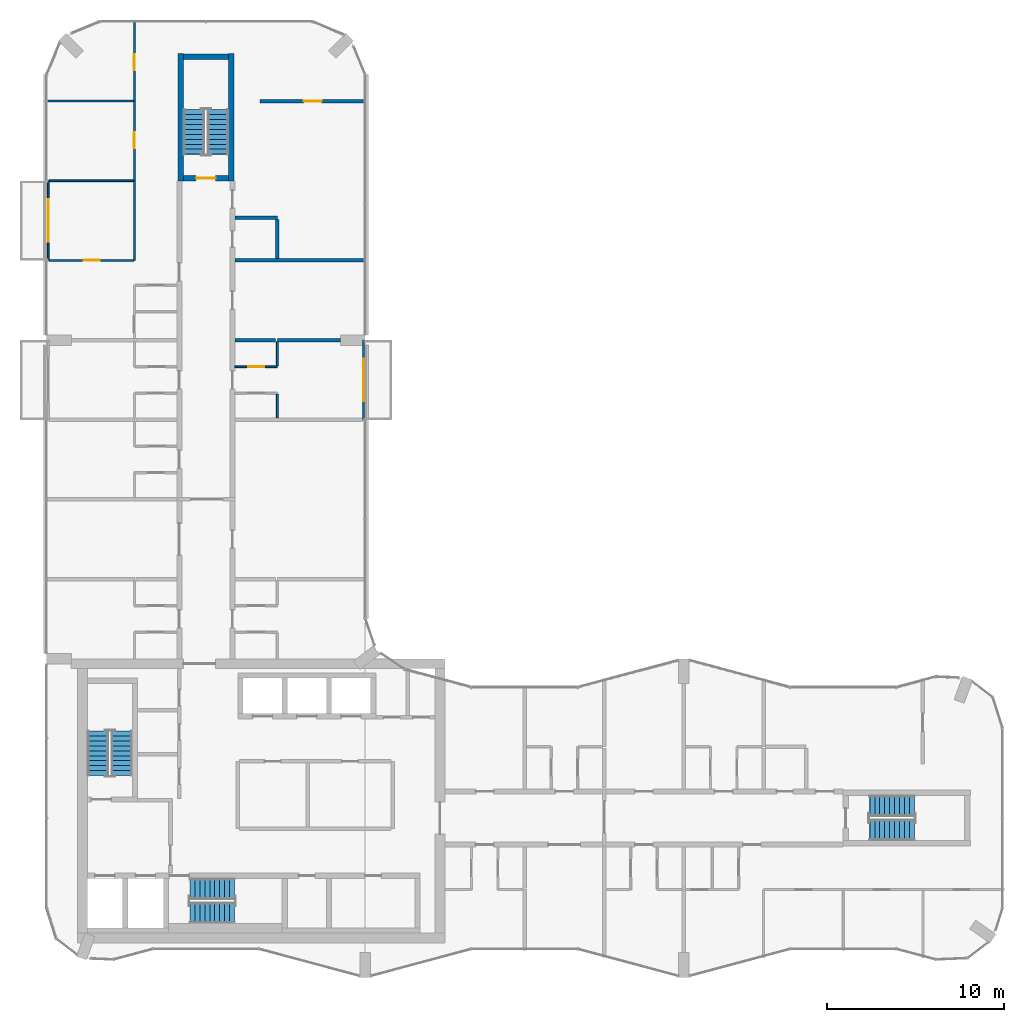
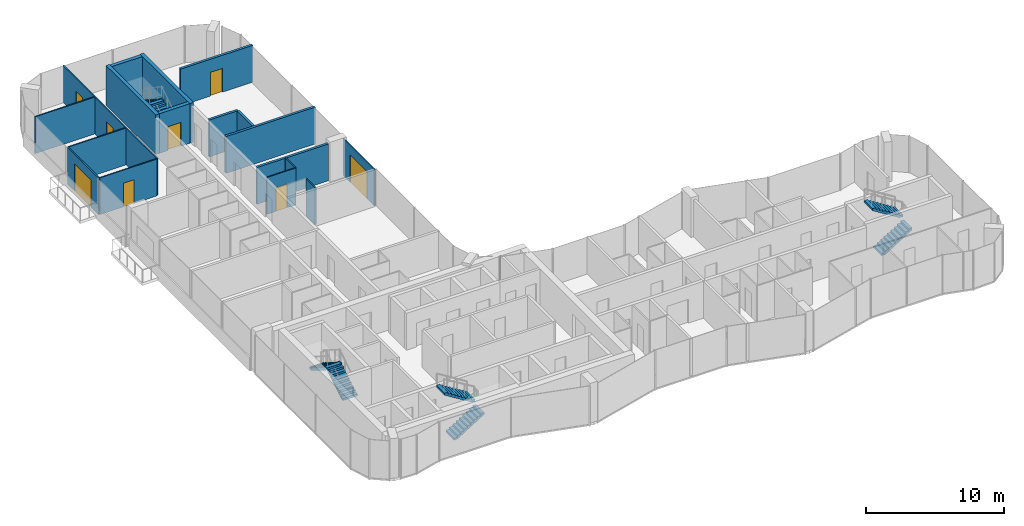
# One storey, part 13 of 15: 19 walls, 8 doors, 8 stair flights, 8 openings, 4 elements without a shape of their own.
"""IFC4 building model written with IfcOpenShell, lengths in metres."""

import ifcopenshell
import ifcopenshell.guid

model = None  # the IFC model being written
_history = None  # IfcOwnerHistory: only IFC2X3 demands one
_inside = {}  # id of a spatial element -> (the spatial element, [elements in it])
_under = {}  # id of a project, library or spatial element -> (it, [spatial elements below it])
_declared = {}  # id of a project -> (the project, [libraries it declares])
_typed = {}  # id of a type object -> (the type object, [elements of that type])
_made_of = {}  # id of a material, layer set ... -> (it, [elements and type objects made of it])


def new_model(schema):
    """Start an empty IFC model of exactly this schema.

    Asked for "IFC4X3", IfcOpenShell would pick the latest addendum, in which some entities
    have other attributes; the version numbers below select the first issue.
    IFC2X3 requires an IfcOwnerHistory on every rooted entity: one is made here for all.
    """
    global model, _history
    if schema == "IFC4X3":
        model = ifcopenshell.file(schema_version=(4, 3, 0, 0))
    else:
        model = ifcopenshell.file(schema=schema)
    _inside.clear()
    _under.clear()
    _declared.clear()
    _typed.clear()
    _made_of.clear()
    _history = None
    if model.schema == "IFC2X3":
        org = make("IfcOrganization", Name="unknown")
        user = make(
            "IfcPersonAndOrganization",
            ThePerson=make("IfcPerson", FamilyName="unknown"),
            TheOrganization=org,
        )
        app = make(
            "IfcApplication",
            ApplicationDeveloper=org,
            Version="unknown",
            ApplicationFullName="unknown",
            ApplicationIdentifier="unknown",
        )
        _history = make(
            "IfcOwnerHistory",
            OwningUser=user,
            OwningApplication=app,
            ChangeAction="ADDED",
            CreationDate=0,
        )
    return model


def make(cls, **values):
    """One entity of the class cls with the attributes given. An attribute that is None is left unset."""
    return model.create_entity(
        cls, **{name: value for name, value in values.items() if value is not None}
    )


def rooted(cls, **values):
    """An entity with a GlobalId (a new one), such as an element, a storey or a relation."""
    return make(cls, GlobalId=ifcopenshell.guid.new(), OwnerHistory=_history, **values)


def si_unit(unit_type, name, prefix=None):
    """IfcSIUnit, for example si_unit("LENGTHUNIT", "METRE", prefix="MILLI")."""
    return make("IfcSIUnit", UnitType=unit_type, Prefix=prefix, Name=name)


def assignment(units):
    """IfcUnitAssignment: the units of a project."""
    return None if units is None else make("IfcUnitAssignment", Units=units)


def point(xyz):
    """IfcCartesianPoint."""
    return None if xyz is None else make("IfcCartesianPoint", Coordinates=xyz)


def direction(xyz):
    """IfcDirection."""
    return None if xyz is None else make("IfcDirection", DirectionRatios=xyz)


def frame(location, z_axis=None, x_axis=None):
    """IfcAxis2Placement3D, a coordinate frame: its origin and axes. An axis left out is left unset."""
    return make(
        "IfcAxis2Placement3D",
        Location=point(location),
        Axis=direction(z_axis),
        RefDirection=direction(x_axis),
    )


def frame_2d(location, x_axis=None):
    """IfcAxis2Placement2D, a coordinate frame in the plane: its origin and x axis."""
    return make(
        "IfcAxis2Placement2D", Location=point(location), RefDirection=direction(x_axis)
    )


def origin():
    """The frame at (0, 0, 0) with its axes left unset."""
    return frame((0.0, 0.0, 0.0))


def place(relative_to, where):
    """IfcLocalPlacement: puts the frame where relative to a parent placement (None: the world)."""
    return make(
        "IfcLocalPlacement", PlacementRelTo=relative_to, RelativePlacement=where
    )


def context(
    kind, dimensions, precision=None, world=None, true_north=None, identifier=None
):
    """IfcGeometricRepresentationContext, for example the 3D "Model" context."""
    return make(
        "IfcGeometricRepresentationContext",
        ContextIdentifier=identifier,
        ContextType=kind,
        CoordinateSpaceDimension=dimensions,
        Precision=precision,
        WorldCoordinateSystem=world,
        TrueNorth=true_north,
    )


def subcontext(parent, identifier, kind, view, scale=None):
    """IfcGeometricRepresentationSubContext, for example "Body" below "Model"."""
    return make(
        "IfcGeometricRepresentationSubContext",
        ContextIdentifier=identifier,
        ContextType=kind,
        ParentContext=parent,
        TargetScale=scale,
        TargetView=view,
    )


def project(units=None, contexts=None):
    """IfcProject with its units and contexts."""
    return rooted(
        "IfcProject",
        Name="project",
        RepresentationContexts=contexts,
        UnitsInContext=assignment(units),
    )


def spatial(cls, under=None, at=None, **own):
    """A site, building, storey or space (cls), placed at a placement, below another one or the project."""
    s = rooted(cls, ObjectPlacement=at, **own)
    if under is not None:
        _under.setdefault(under.id(), (under, []))[1].append(s)
    return s


def polyline(points):
    """IfcPolyline through the points."""
    return make("IfcPolyline", Points=[point(p) for p in points])


def profile(cls, at=None, kind="AREA", **sizes):
    """A parametric profile (cls). Its sizes go by their IFC names, for example OverallWidth=200.0."""
    return make(cls, ProfileType=kind, Position=at, **sizes)


def rectangle(**sizes):
    """IfcRectangleProfileDef."""
    return profile("IfcRectangleProfileDef", **sizes)


def outline(outer, holes=None, kind="AREA"):
    """IfcArbitraryClosedProfileDef: a profile drawn as a closed curve; with holes, ...WithVoids."""
    if holes is None:
        return make("IfcArbitraryClosedProfileDef", ProfileType=kind, OuterCurve=outer)
    return make(
        "IfcArbitraryProfileDefWithVoids",
        ProfileType=kind,
        OuterCurve=outer,
        InnerCurves=holes,
    )


def extrude(swept, where, along, depth):
    """IfcExtrudedAreaSolid: the profile swept, set in the frame where, extruded along a direction by depth."""
    return make(
        "IfcExtrudedAreaSolid",
        SweptArea=swept,
        Position=where,
        ExtrudedDirection=direction(along),
        Depth=depth,
    )


def shape(context_of_items, identifier, shape_type, items):
    """IfcShapeRepresentation: the items that make up one representation, for example the "Body"."""
    return make(
        "IfcShapeRepresentation",
        ContextOfItems=context_of_items,
        RepresentationIdentifier=identifier,
        RepresentationType=shape_type,
        Items=items,
    )


def material(Name=None, Category=None):
    """IfcMaterial."""
    return make("IfcMaterial", Name=Name, Category=Category)


def layer(
    of_material, thickness, ventilated=None, Name=None, Category=None, Priority=None
):
    """IfcMaterialLayer: one layer of a wall or slab, of a material (None: an air gap)."""
    return make(
        "IfcMaterialLayer",
        Material=of_material,
        LayerThickness=thickness,
        IsVentilated=ventilated,
        Name=Name,
        Category=Category,
        Priority=Priority,
    )


def layer_set(layers, Name=None):
    """IfcMaterialLayerSet."""
    return make("IfcMaterialLayerSet", MaterialLayers=layers, LayerSetName=Name)


def made_of(thing, what):
    """Note that an element or type object is made of a material, layer set ...; save() writes the relation."""
    if what is not None:
        _made_of.setdefault(what.id(), (what, []))[1].append(thing)
    return thing


def type_object(cls, material=None, **own):
    """A type object (cls), such as IfcWallType, which elements share."""
    return made_of(rooted(cls, **own), material)


def element(
    cls,
    number,
    at=None,
    inside=None,
    cuts=None,
    type_object=None,
    material=None,
    context=None,
    identifier="Body",
    shape_type=None,
    held_by="IfcProductDefinitionShape",
    body=None,
    shapes=None,
    **own,
):
    """One element of the class cls, such as IfcWall. Its Tag is "e" and its number.

    at: its placement. inside: the storey or other place that contains it. cuts: it is an
    opening in that element (IfcRelVoidsElement). A single representation is given by context,
    identifier, shape_type and body (its items); several are given by shapes. held_by: the class
    of the entity that holds the representations. save() writes the other relations.
    """
    e = rooted(cls, Tag="e%d" % number, ObjectPlacement=at, **own)
    if body is not None:
        shapes = [shape(context, identifier, shape_type, body)]
    if shapes is not None:
        e.Representation = make(held_by, Representations=shapes)
    if inside is not None:
        _inside.setdefault(inside.id(), (inside, []))[1].append(e)
    if cuts is not None:
        rooted(
            "IfcRelVoidsElement", RelatingBuildingElement=cuts, RelatedOpeningElement=e
        )
    if type_object is not None:
        _typed.setdefault(type_object.id(), (type_object, []))[1].append(e)
    return made_of(e, material)


def fill(opening, filler):
    """IfcRelFillsElement: the door or window that sits in an opening."""
    return rooted(
        "IfcRelFillsElement",
        RelatingOpeningElement=opening,
        RelatedBuildingElement=filler,
    )


def aggregate(whole, parts):
    """IfcRelAggregates: a whole, such as a stair, and the parts it consists of."""
    return rooted("IfcRelAggregates", RelatingObject=whole, RelatedObjects=parts)


def save(model, path):
    """Write the relations noted so far, then the file.

    IfcRelAggregates (storeys below a building ...), IfcRelContainedInSpatialStructure (elements
    in a storey), IfcRelDefinesByType, IfcRelAssociatesMaterial and IfcRelDeclares: one each for
    every whole, place, type object, material and project.
    """
    for whole, parts in _under.values():
        aggregate(whole, parts)
    for where, things in _inside.values():
        rooted(
            "IfcRelContainedInSpatialStructure",
            RelatedElements=things,
            RelatingStructure=where,
        )
    for kind, things in _typed.values():
        rooted("IfcRelDefinesByType", RelatedObjects=things, RelatingType=kind)
    for what, things in _made_of.values():
        rooted("IfcRelAssociatesMaterial", RelatedObjects=things, RelatingMaterial=what)
    for by, libraries in _declared.values():
        rooted("IfcRelDeclares", RelatingContext=by, RelatedDefinitions=libraries)
    model.write(path)


model = new_model("IFC4")

# Units and contexts
model_context = context("Model", 3, precision=1e-05, world=origin(), true_north=direction((0.0, 1.0)))
body_context = subcontext(model_context, "Body", "Model", "MODEL_VIEW")
ifc_project = project(units=[si_unit("LENGTHUNIT", "METRE"), si_unit("AREAUNIT", "SQUARE_METRE"), si_unit("VOLUMEUNIT", "CUBIC_METRE"), si_unit("PLANEANGLEUNIT", "RADIAN"), si_unit("MASSUNIT", "GRAM", prefix="KILO")], contexts=[model_context])

# Site, building, storey
site_placement = place(None, origin())
site = spatial("IfcSite", under=ifc_project, at=site_placement, CompositionType="ELEMENT")
building_placement = place(site_placement, origin())
building = spatial("IfcBuilding", under=site, at=building_placement, Name="Plateau Cross Towers", CompositionType="ELEMENT")
storey_placement = place(building_placement, frame((0.0, 0.0, 194.39990234375)))
storey = spatial("IfcBuildingStorey", under=building, at=storey_placement, Name="L50", CompositionType="ELEMENT", Elevation=194.39990234375)

# Wall, opening, door
ifc_material_1 = material(Name="Aluminium framed glazing", Category="aluminium")
ifc_layer_1 = layer(ifc_material_1, 0.10009765625)
ifc_layer_set_1 = layer_set([ifc_layer_1], Name="Aluminium framed glazing")
wall_type_1 = type_object("IfcWallType", Name="Balcony screen wall 100", PredefinedType="STANDARD", material=ifc_layer_set_1)
wall_1_placement = place(storey_placement, frame((0.10009765625, 40.5, 0.0), z_axis=(0.0, 0.0, 1.0), x_axis=(0.0, 1.0, 0.0)))
wall_1 = element("IfcWall", 1, at=wall_1_placement, inside=storey, type_object=wall_type_1, Name="Balcony screen wall A-BAL-L50-02", PredefinedType="STANDARD", context=body_context, shape_type="SweptSolid", body=[
    extrude(rectangle(XDim=4.5, YDim=0.10009765625, at=frame_2d((2.25, 0.0))), origin(), (0.0, 0.0, 1.0), 3.25),
])
opening_1_placement = place(wall_1_placement, frame((1.050048828125, 0.0, 0.0)))
opening_1 = element("IfcOpeningElement", 2, at=opening_1_placement, cuts=wall_1, Name="Opening D-B24", PredefinedType="OPENING", context=body_context, shape_type="SweptSolid", body=[
    extrude(rectangle(XDim=2.39990234375, YDim=2.39990234375, at=frame_2d((1.199951171875, 1.199951171875))), frame((0.0, 0.06005859375, 0.0), z_axis=(0.0, -1.0, 0.0), x_axis=(1.0, 0.0, 0.0)), (0.0, 0.0, 1.0), 0.1201171875),
])
ifc_material_2 = material(Name="Aluminium frame, double glazing", Category="aluminium")
door_type_1 = type_object("IfcDoorType", Name="Balcony sliding door 2400", OperationType="NOTDEFINED", PredefinedType="DOOR", material=ifc_material_2)
door_1_placement = place(opening_1_placement, origin())
door_1 = element("IfcDoor", 3, at=door_1_placement, inside=storey, type_object=door_type_1, Name="Balcony door A-BAL-L50-02", OperationType="SINGLE_SWING_LEFT", OverallHeight=2.39990234375, OverallWidth=2.39990234375, PredefinedType="DOOR", context=body_context, shape_type="SweptSolid", body=[
    extrude(rectangle(XDim=2.39990234375, YDim=2.39990234375, at=frame_2d((1.199951171875, 1.199951171875))), frame((0.0, 0.02490234375, 0.0), z_axis=(0.0, -1.0, 0.0), x_axis=(1.0, 0.0, 0.0)), (0.0, 0.0, 1.0), 0.050048828125),
])
fill(opening_1, door_1)

wall_2_placement = place(storey_placement, frame((17.89990234375, 36.0, 0.0), z_axis=(0.0, 0.0, 1.0), x_axis=(0.0, -1.0, 0.0)))
wall_2 = element("IfcWall", 4, at=wall_2_placement, inside=storey, type_object=wall_type_1, Name="Balcony screen wall A-BAL-L50-03", PredefinedType="STANDARD", context=body_context, shape_type="SweptSolid", body=[
    extrude(rectangle(XDim=4.5, YDim=0.10009765625, at=frame_2d((2.25, 0.0))), origin(), (0.0, 0.0, 1.0), 3.25),
])
opening_2_placement = place(wall_2_placement, frame((1.050048828125, 0.0, 0.0)))
opening_2 = element("IfcOpeningElement", 5, at=opening_2_placement, cuts=wall_2, Name="Opening D-B24", PredefinedType="OPENING", context=body_context, shape_type="SweptSolid", body=[
    extrude(rectangle(XDim=2.39990234375, YDim=2.39990234375, at=frame_2d((1.199951171875, 1.199951171875))), frame((0.0, 0.06005859375, 0.0), z_axis=(0.0, -1.0, 0.0), x_axis=(1.0, 0.0, 0.0)), (0.0, 0.0, 1.0), 0.1201171875),
])
door_2_placement = place(opening_2_placement, origin())
door_2 = element("IfcDoor", 6, at=door_2_placement, inside=storey, type_object=door_type_1, Name="Balcony door A-BAL-L50-03", OperationType="SINGLE_SWING_LEFT", OverallHeight=2.39990234375, OverallWidth=2.39990234375, PredefinedType="DOOR", context=body_context, shape_type="SweptSolid", body=[
    extrude(rectangle(XDim=2.39990234375, YDim=2.39990234375, at=frame_2d((1.199951171875, 1.199951171875))), frame((0.0, 0.02490234375, 0.0), z_axis=(0.0, -1.0, 0.0), x_axis=(1.0, 0.0, 0.0)), (0.0, 0.0, 1.0), 0.050048828125),
])
fill(opening_2, door_2)

ifc_material_3 = material(Name="Gypsum board on steel studs", Category="steel")
ifc_layer_2 = layer(ifc_material_3, 0.10009765625)
ifc_layer_set_2 = layer_set([ifc_layer_2], Name="Gypsum board on steel studs")
wall_type_2 = type_object("IfcWallType", Name="Flat partition 100", PredefinedType="PARTITIONING", material=ifc_layer_set_2)
wall_3_placement = place(storey_placement, frame((10.637451171875, 34.5, 0.0), z_axis=(0.0, 0.0, 1.0), x_axis=(1.0, 0.0, 0.0)))
wall_3 = element("IfcWall", 7, at=wall_3_placement, inside=storey, type_object=wall_type_2, Name="Partition wall", PredefinedType="PARTITIONING", context=body_context, shape_type="SweptSolid", body=[
    extrude(rectangle(XDim=2.400146484375, YDim=0.10009765625, at=frame_2d((1.2001953125, 0.0))), origin(), (0.0, 0.0, 1.0), 3.25),
])
opening_3_placement = place(wall_3_placement, frame((0.75, 0.0, 0.0)))
opening_3 = element("IfcOpeningElement", 8, at=opening_3_placement, cuts=wall_3, Name="Opening 50-53", PredefinedType="OPENING", context=body_context, shape_type="SweptSolid", body=[
    extrude(rectangle(XDim=0.89990234375, YDim=2.10009765625, at=frame_2d((0.449951171875, 1.050048828125))), frame((0.0, 0.06005859375, 0.0), z_axis=(0.0, -1.0, 0.0), x_axis=(1.0, 0.0, 0.0)), (0.0, 0.0, 1.0), 0.1201171875),
])
ifc_material_4 = material(Name="Timber leaf", Category="wood")
door_type_2 = type_object("IfcDoorType", Name="Flat room door 900", OperationType="NOTDEFINED", PredefinedType="DOOR", material=ifc_material_4)
door_3_placement = place(opening_3_placement, origin())
door_3 = element("IfcDoor", 9, at=door_3_placement, inside=storey, type_object=door_type_2, Name="Door 50-53", OperationType="SINGLE_SWING_LEFT", OverallHeight=2.10009765625, OverallWidth=0.89990234375, PredefinedType="DOOR", context=body_context, shape_type="SweptSolid", body=[
    extrude(rectangle(XDim=0.89990234375, YDim=2.10009765625, at=frame_2d((0.449951171875, 1.050048828125))), frame((0.0, 0.02490234375, 0.0), z_axis=(0.0, -1.0, 0.0), x_axis=(1.0, 0.0, 0.0)), (0.0, 0.0, 1.0), 0.050048828125),
])
fill(opening_3, door_3)

wall_4_placement = place(storey_placement, frame((0.14990234375, 40.5, 0.0), z_axis=(0.0, 0.0, 1.0), x_axis=(1.0, 0.0, 0.0)))
wall_4 = element("IfcWall", 10, at=wall_4_placement, inside=storey, type_object=wall_type_2, Name="Partition wall", PredefinedType="PARTITIONING", context=body_context, shape_type="SweptSolid", body=[
    extrude(rectangle(XDim=4.7626953125, YDim=0.10009765625, at=frame_2d((2.38134765625, 0.0))), origin(), (0.0, 0.0, 1.0), 3.25),
])
opening_4_placement = place(wall_4_placement, frame((1.949951171875, 0.0, 0.0)))
opening_4 = element("IfcOpeningElement", 11, at=opening_4_placement, cuts=wall_4, Name="Opening 50-47", PredefinedType="OPENING", context=body_context, shape_type="SweptSolid", body=[
    extrude(rectangle(XDim=0.89990234375, YDim=2.10009765625, at=frame_2d((0.449951171875, 1.050048828125))), frame((0.0, 0.06005859375, 0.0), z_axis=(0.0, -1.0, 0.0), x_axis=(1.0, 0.0, 0.0)), (0.0, 0.0, 1.0), 0.1201171875),
])
door_4_placement = place(opening_4_placement, origin())
door_4 = element("IfcDoor", 12, at=door_4_placement, inside=storey, type_object=door_type_2, Name="Door 50-47", OperationType="SINGLE_SWING_RIGHT", OverallHeight=2.10009765625, OverallWidth=0.89990234375, PredefinedType="DOOR", context=body_context, shape_type="SweptSolid", body=[
    extrude(rectangle(XDim=0.89990234375, YDim=2.10009765625, at=frame_2d((0.449951171875, 1.050048828125))), frame((0.0, 0.02490234375, 0.0), z_axis=(0.0, -1.0, 0.0), x_axis=(1.0, 0.0, 0.0)), (0.0, 0.0, 1.0), 0.050048828125),
])
fill(opening_4, door_4)

# Walls
wall_5_placement = place(storey_placement, frame((4.91259765625, 45.0, 0.0), z_axis=(0.0, 0.0, 1.0), x_axis=(-1.0, 0.0, 0.0)))
element("IfcWall", 13, at=wall_5_placement, inside=storey, type_object=wall_type_2, Name="Partition wall", PredefinedType="PARTITIONING", context=body_context, shape_type="SweptSolid", body=[
    extrude(rectangle(XDim=4.7626953125, YDim=0.10009765625, at=frame_2d((2.38134765625, 0.0))), origin(), (0.0, 0.0, 1.0), 3.25),
])
wall_6_placement = place(storey_placement, frame((4.91259765625, 49.5, 0.0), z_axis=(0.0, 0.0, 1.0), x_axis=(-1.0, 0.0, 0.0)))
element("IfcWall", 14, at=wall_6_placement, inside=storey, type_object=wall_type_2, Name="Partition wall", PredefinedType="PARTITIONING", context=body_context, shape_type="SweptSolid", body=[
    extrude(rectangle(XDim=4.99267578125, YDim=0.10009765625, at=frame_2d((2.496337890625, 0.0))), origin(), (0.0, 0.0, 1.0), 3.25),
])

# Wall, openings, doors
wall_7_placement = place(storey_placement, frame((4.96240234375, 40.5, 0.0), z_axis=(0.0, 0.0, 1.0), x_axis=(0.0, 1.0, 0.0)))
wall_7 = element("IfcWall", 15, at=wall_7_placement, inside=storey, type_object=wall_type_2, Name="Partition wall", PredefinedType="PARTITIONING", context=body_context, shape_type="SweptSolid", body=[
    extrude(rectangle(XDim=13.580078125, YDim=0.10009765625, at=frame_2d((6.7900390625, 0.0))), origin(), (0.0, 0.0, 1.0), 3.25),
])
opening_5_placement = place(wall_7_placement, frame((6.35009765625, 0.0, 0.0)))
opening_5 = element("IfcOpeningElement", 16, at=opening_5_placement, cuts=wall_7, Name="Opening 50-48", PredefinedType="OPENING", context=body_context, shape_type="SweptSolid", body=[
    extrude(rectangle(XDim=0.89990234375, YDim=2.10009765625, at=frame_2d((0.449951171875, 1.050048828125))), frame((0.0, 0.06005859375, 0.0), z_axis=(0.0, -1.0, 0.0), x_axis=(1.0, 0.0, 0.0)), (0.0, 0.0, 1.0), 0.1201171875),
])
opening_6_placement = place(wall_7_placement, frame((10.75, 0.0, 0.0)))
opening_6 = element("IfcOpeningElement", 17, at=opening_6_placement, cuts=wall_7, Name="Opening 50-49", PredefinedType="OPENING", context=body_context, shape_type="SweptSolid", body=[
    extrude(rectangle(XDim=0.89990234375, YDim=2.10009765625, at=frame_2d((0.449951171875, 1.050048828125))), frame((0.0, 0.06005859375, 0.0), z_axis=(0.0, -1.0, 0.0), x_axis=(1.0, 0.0, 0.0)), (0.0, 0.0, 1.0), 0.1201171875),
])
door_5_placement = place(opening_5_placement, origin())
door_5 = element("IfcDoor", 18, at=door_5_placement, inside=storey, type_object=door_type_2, Name="Door 50-48", OperationType="SINGLE_SWING_RIGHT", OverallHeight=2.10009765625, OverallWidth=0.89990234375, PredefinedType="DOOR", context=body_context, shape_type="SweptSolid", body=[
    extrude(rectangle(XDim=0.89990234375, YDim=2.10009765625, at=frame_2d((0.449951171875, 1.050048828125))), frame((0.0, 0.02490234375, 0.0), z_axis=(0.0, -1.0, 0.0), x_axis=(1.0, 0.0, 0.0)), (0.0, 0.0, 1.0), 0.050048828125),
])
fill(opening_5, door_5)
door_6_placement = place(opening_6_placement, origin())
door_6 = element("IfcDoor", 19, at=door_6_placement, inside=storey, type_object=door_type_2, Name="Door 50-49", OperationType="SINGLE_SWING_RIGHT", OverallHeight=2.10009765625, OverallWidth=0.89990234375, PredefinedType="DOOR", context=body_context, shape_type="SweptSolid", body=[
    extrude(rectangle(XDim=0.89990234375, YDim=2.10009765625, at=frame_2d((0.449951171875, 1.050048828125))), frame((0.0, 0.02490234375, 0.0), z_axis=(0.0, -1.0, 0.0), x_axis=(1.0, 0.0, 0.0)), (0.0, 0.0, 1.0), 0.050048828125),
])
fill(opening_6, door_6)

# Walls
for number, where, z_axis, x_axis, name in (
    (20, (13.03759765625, 31.60009765625, 0.0), (0.0, 0.0, 1.0), (0.0, 1.0, 0.0), "Partition wall"),
    (21, (13.03759765625, 34.550048828125, 0.0), (0.0, 0.0, 1.0), (0.0, 1.0, 0.0), "Partition wall"),
):
    element("IfcWall", number, at=place(storey_placement, frame(where, z_axis=z_axis, x_axis=x_axis)), inside=storey, type_object=wall_type_2, Name=name, PredefinedType="PARTITIONING", context=body_context, shape_type="SweptSolid", body=[
        extrude(rectangle(XDim=1.349853515625, YDim=0.10009765625, at=frame_2d((0.6748046875, 0.0))), origin(), (0.0, 0.0, 1.0), 3.25),
    ])
ifc_material_5 = material(Name="Gypsum board on steel studs, two layers each side", Category="steel")
ifc_layer_3 = layer(ifc_material_5, 0.199951171875)
ifc_layer_set_3 = layer_set([ifc_layer_3], Name="Gypsum board on steel studs, two layers each side")
wall_type_3 = type_object("IfcWallType", Name="Flat party wall 200", PredefinedType="PARTITIONING", material=ifc_layer_set_3)
wall_8_placement = place(storey_placement, frame((12.9375, 36.0, 0.0), z_axis=(0.0, 0.0, 1.0), x_axis=(-1.0, 0.0, 0.0)))
element("IfcWall", 22, at=wall_8_placement, inside=storey, type_object=wall_type_3, Name="Party wall", PredefinedType="PARTITIONING", context=body_context, shape_type="SweptSolid", body=[
    extrude(rectangle(XDim=2.300048828125, YDim=0.199951171875, at=frame_2d((1.14990234375, 0.0))), origin(), (0.0, 0.0, 1.0), 3.25),
])
wall_9_placement = place(storey_placement, frame((13.03759765625, 36.0, 0.0), z_axis=(0.0, 0.0, 1.0), x_axis=(1.0, 0.0, 0.0)))
element("IfcWall", 23, at=wall_9_placement, inside=storey, type_object=wall_type_3, Name="Party wall", PredefinedType="PARTITIONING", context=body_context, shape_type="SweptSolid", body=[
    extrude(rectangle(XDim=3.5625, YDim=0.199951171875, at=frame_2d((1.78125, 0.0))), origin(), (0.0, 0.0, 1.0), 3.25),
])
wall_10_placement = place(storey_placement, frame((18.080078125, 40.5, 0.0), z_axis=(0.0, 0.0, 1.0), x_axis=(-1.0, 0.0, 0.0)))
element("IfcWall", 24, at=wall_10_placement, inside=storey, type_object=wall_type_3, Name="Party wall", PredefinedType="PARTITIONING", context=body_context, shape_type="SweptSolid", body=[
    extrude(rectangle(XDim=7.442626953125, YDim=0.199951171875, at=frame_2d((3.72119140625, 0.0))), origin(), (0.0, 0.0, 1.0), 3.25),
])
wall_11_placement = place(storey_placement, frame((13.03759765625, 42.89990234375, 0.0), z_axis=(0.0, 0.0, 1.0), x_axis=(-1.0, 0.0, 0.0)))
element("IfcWall", 25, at=wall_11_placement, inside=storey, type_object=wall_type_3, Name="Party wall", PredefinedType="PARTITIONING", context=body_context, shape_type="SweptSolid", body=[
    extrude(rectangle(XDim=2.400146484375, YDim=0.199951171875, at=frame_2d((1.2001953125, 0.0))), origin(), (0.0, 0.0, 1.0), 3.25),
])

# Wall, opening, door
wall_12_placement = place(storey_placement, frame((18.080078125, 49.5, 0.0), z_axis=(0.0, 0.0, 1.0), x_axis=(-1.0, 0.0, 0.0)))
wall_12 = element("IfcWall", 26, at=wall_12_placement, inside=storey, type_object=wall_type_3, Name="Party wall", PredefinedType="PARTITIONING", context=body_context, shape_type="SweptSolid", body=[
    extrude(rectangle(XDim=6.030029296875, YDim=0.199951171875, at=frame_2d((3.01513671875, 0.0))), origin(), (0.0, 0.0, 1.0), 3.25),
])
opening_7_placement = place(wall_12_placement, frame((2.550048828125, 0.0, 0.0)))
opening_7 = element("IfcOpeningElement", 27, at=opening_7_placement, cuts=wall_12, Name="Opening 50-25", PredefinedType="OPENING", context=body_context, shape_type="SweptSolid", body=[
    extrude(rectangle(XDim=1.0, YDim=2.10009765625, at=frame_2d((0.5, 1.050048828125))), frame((0.0, 0.10986328125, 0.0), z_axis=(0.0, -1.0, 0.0), x_axis=(1.0, 0.0, 0.0)), (0.0, 0.0, 1.0), 0.219970703125),
])
ifc_material_6 = material(Name="Timber, fire-resisting leaf", Category="wood")
door_type_3 = type_object("IfcDoorType", Name="Flat entrance door 1000", OperationType="NOTDEFINED", PredefinedType="DOOR", material=ifc_material_6)
door_7_placement = place(opening_7_placement, origin())
door_7 = element("IfcDoor", 28, at=door_7_placement, inside=storey, type_object=door_type_3, Name="Door 50-25", OperationType="SINGLE_SWING_RIGHT", OverallHeight=2.10009765625, OverallWidth=1.0, PredefinedType="DOOR", context=body_context, shape_type="SweptSolid", body=[
    extrude(rectangle(XDim=1.0, YDim=2.10009765625, at=frame_2d((0.5, 1.050048828125))), frame((0.0, 0.02490234375, 0.0), z_axis=(0.0, -1.0, 0.0), x_axis=(1.0, 0.0, 0.0)), (0.0, 0.0, 1.0), 0.050048828125),
])
fill(opening_7, door_7)

# Wall
wall_13_placement = place(storey_placement, frame((13.03759765625, 40.60009765625, 0.0), z_axis=(0.0, 0.0, 1.0), x_axis=(0.0, 1.0, 0.0)))
element("IfcWall", 29, at=wall_13_placement, inside=storey, type_object=wall_type_3, Name="Party wall", PredefinedType="PARTITIONING", context=body_context, shape_type="SweptSolid", body=[
    extrude(rectangle(XDim=2.199951171875, YDim=0.199951171875, at=frame_2d((1.10009765625, 0.0))), origin(), (0.0, 0.0, 1.0), 3.25),
])

# Wall, opening, door
ifc_material_7 = material(Name="Concrete C60/75", Category="concrete")
ifc_layer_4 = layer(ifc_material_7, 0.300048828125)
ifc_layer_set_4 = layer_set([ifc_layer_4], Name="Concrete C60/75")
wall_type_4 = type_object("IfcWallType", Name="Stair tower wall 300", PredefinedType="SHEAR", material=ifc_layer_set_4)
wall_14_placement = place(storey_placement, frame((7.72509765625, 45.14990234375, 0.0), z_axis=(0.0, 0.0, 1.0), x_axis=(1.0, 0.0, 0.0)))
wall_14 = element("IfcWall", 30, at=wall_14_placement, inside=storey, type_object=wall_type_4, Name="A-end-N-S@L50", PredefinedType="SHEAR", context=body_context, shape_type="SweptSolid", body=[
    extrude(rectangle(XDim=2.5498046875, YDim=0.300048828125, at=frame_2d((1.27490234375, 0.0))), origin(), (0.0, 0.0, 1.0), 3.5),
])
opening_8_placement = place(wall_14_placement, frame((0.72509765625, 0.0, 0.0)))
opening_8 = element("IfcOpeningElement", 31, at=opening_8_placement, cuts=wall_14, Name="Opening SD", PredefinedType="OPENING", context=body_context, shape_type="SweptSolid", body=[
    extrude(rectangle(XDim=1.10009765625, YDim=2.10009765625, at=frame_2d((0.550048828125, 1.050048828125))), frame((0.0, 0.159912109375, 0.0), z_axis=(0.0, -1.0, 0.0), x_axis=(1.0, 0.0, 0.0)), (0.0, 0.0, 1.0), 0.320068359375),
])
ifc_material_8 = material(Name="Steel, fire-resisting leaf", Category="steel")
door_type_4 = type_object("IfcDoorType", Name="Stair door 1100", OperationType="NOTDEFINED", PredefinedType="DOOR", material=ifc_material_8)
door_8_placement = place(opening_8_placement, origin())
door_8 = element("IfcDoor", 32, at=door_8_placement, inside=storey, type_object=door_type_4, Name="Stair door SD", OperationType="SINGLE_SWING_LEFT", OverallHeight=2.10009765625, OverallWidth=1.10009765625, PredefinedType="DOOR", context=body_context, shape_type="SweptSolid", body=[
    extrude(rectangle(XDim=1.10009765625, YDim=2.10009765625, at=frame_2d((0.550048828125, 1.050048828125))), frame((0.0, 0.02490234375, 0.0), z_axis=(0.0, -1.0, 0.0), x_axis=(1.0, 0.0, 0.0)), (0.0, 0.0, 1.0), 0.050048828125),
])
fill(opening_8, door_8)

# Walls
wall_15_placement = place(storey_placement, frame((7.72509765625, 52.0, 0.0), z_axis=(0.0, 0.0, 1.0), x_axis=(1.0, 0.0, 0.0)))
element("IfcWall", 33, at=wall_15_placement, inside=storey, type_object=wall_type_4, Name="A-end-N-N@L50", PredefinedType="SHEAR", context=body_context, shape_type="SweptSolid", body=[
    extrude(rectangle(XDim=2.5498046875, YDim=0.300048828125, at=frame_2d((1.27490234375, 0.0))), origin(), (0.0, 0.0, 1.0), 3.5),
])
for number, where, z_axis, x_axis, name in (
    (34, (7.574951171875, 45.0, 0.0), (0.0, 0.0, 1.0), (0.0, 1.0, 0.0), "A-end-N-W@L50"),
    (35, (10.425048828125, 45.0, 0.0), (0.0, 0.0, 1.0), (0.0, 1.0, 0.0), "A-end-N-E@L50"),
):
    element("IfcWall", number, at=place(storey_placement, frame(where, z_axis=z_axis, x_axis=x_axis)), inside=storey, type_object=wall_type_4, Name=name, PredefinedType="SHEAR", context=body_context, shape_type="SweptSolid", body=[
        extrude(rectangle(XDim=7.199951171875, YDim=0.300048828125, at=frame_2d((3.60009765625, 0.0))), origin(), (0.0, 0.0, 1.0), 3.5),
    ])

# Stair, stair flights
ifc_material_9 = material(Name="Concrete C40/50", Category="concrete")
stair_type = type_object("IfcStairType", Name="ST-TWR", PredefinedType="HALF_TURN_STAIR", material=ifc_material_9)
stair_1_placement = place(storey_placement, origin())
stair_1 = element("IfcStair", 36, at=stair_1_placement, inside=storey, type_object=stair_type, Name="L50 Protected Exit Stair ST-1", PredefinedType="HALF_TURN_STAIR")
stair_flight_type = type_object("IfcStairFlightType", Name="SFL-RC", PredefinedType="STRAIGHT", material=ifc_material_9)
stair_flight_1_placement = place(storey_placement, frame((4.25, 11.39990234375, 0.0), z_axis=(0.0, 0.0, 1.0), x_axis=(0.0, 1.0, 0.0)))
stair_flight_1 = element("IfcStairFlight", 37, at=stair_flight_1_placement, type_object=stair_flight_type, Name="ST-1 flight 1", NumberOfRisers=10, NumberOfTreads=9, PredefinedType="STRAIGHT", RiserHeight=0.175, TreadLength=0.28, context=body_context, shape_type="SweptSolid", body=[
    extrude(outline(polyline([(-0.0048828125, -0.010009765625), (-0.0048828125, 0.0), (0.0, 0.0), (0.0, 0.175048828125), (0.280029296875, 0.175048828125), (0.280029296875, 0.35009765625), (0.56005859375, 0.35009765625), (0.56005859375, 0.52490234375), (0.840087890625, 0.52490234375), (0.840087890625, 0.699951171875), (1.1201171875, 0.699951171875), (1.1201171875, 0.875), (1.39990234375, 0.875), (1.39990234375, 1.050048828125), (1.679931640625, 1.050048828125), (1.679931640625, 1.22509765625), (1.9599609375, 1.22509765625), (1.9599609375, 1.39990234375), (2.239990234375, 1.39990234375), (2.239990234375, 1.574951171875), (2.52001953125, 1.574951171875), (2.52490234375, 1.56494140625), (2.52490234375, 1.398193359375), (2.52001953125, 1.398193359375), (0.28271484375, 0.0), (0.02001953125, 0.0), (0.02001953125, -0.010009765625), (-0.0048828125, -0.010009765625)])), frame((0.0, 0.60009765625, 0.0), z_axis=(0.0, -1.0, 0.0), x_axis=(1.0, 0.0, 0.0)), (0.0, 0.0, 1.0), 1.199951171875),
])
stair_flight_2_placement = place(storey_placement, frame((2.89990234375, 13.919921875, 1.75), z_axis=(0.0, 0.0, 1.0), x_axis=(0.0, -1.0, 0.0)))
stair_flight_2 = element("IfcStairFlight", 38, at=stair_flight_2_placement, type_object=stair_flight_type, Name="ST-1 flight 2", NumberOfRisers=10, NumberOfTreads=9, PredefinedType="STRAIGHT", RiserHeight=0.175, TreadLength=0.28, context=body_context, shape_type="SweptSolid", body=[
    extrude(outline(polyline([(-0.0048828125, -0.010009765625), (-0.0048828125, 0.0), (0.0, 0.0), (0.0, 0.175048828125), (0.280029296875, 0.175048828125), (0.280029296875, 0.35009765625), (0.56005859375, 0.35009765625), (0.56005859375, 0.52490234375), (0.840087890625, 0.52490234375), (0.840087890625, 0.699951171875), (1.1201171875, 0.699951171875), (1.1201171875, 0.875), (1.39990234375, 0.875), (1.39990234375, 1.050048828125), (1.679931640625, 1.050048828125), (1.679931640625, 1.22509765625), (1.9599609375, 1.22509765625), (1.9599609375, 1.39990234375), (2.239990234375, 1.39990234375), (2.239990234375, 1.574951171875), (2.52001953125, 1.574951171875), (2.52490234375, 1.56494140625), (2.52490234375, 1.398193359375), (2.52001953125, 1.398193359375), (0.28271484375, 0.0), (0.02001953125, 0.0), (0.02001953125, -0.010009765625), (-0.0048828125, -0.010009765625)])), frame((0.0, 0.60009765625, 0.0), z_axis=(0.0, -1.0, 0.0), x_axis=(1.0, 0.0, 0.0)), (0.0, 0.0, 1.0), 1.199951171875),
])
aggregate(stair_1, [stair_flight_1, stair_flight_2])

stair_2_placement = place(storey_placement, origin())
stair_2 = element("IfcStair", 39, at=stair_2_placement, inside=storey, type_object=stair_type, Name="L50 Protected Exit Stair ST-2", PredefinedType="HALF_TURN_STAIR")
stair_flight_3_placement = place(storey_placement, frame((8.10009765625, 3.64990234375, 0.0), z_axis=(0.0, 0.0, 1.0), x_axis=(1.0, 0.0, 0.0)))
stair_flight_3 = element("IfcStairFlight", 40, at=stair_flight_3_placement, type_object=stair_flight_type, Name="ST-2 flight 1", NumberOfRisers=10, NumberOfTreads=9, PredefinedType="STRAIGHT", RiserHeight=0.175, TreadLength=0.28, context=body_context, shape_type="SweptSolid", body=[
    extrude(outline(polyline([(-0.0048828125, -0.010009765625), (-0.0048828125, 0.0), (0.0, 0.0), (0.0, 0.175048828125), (0.280029296875, 0.175048828125), (0.280029296875, 0.35009765625), (0.56005859375, 0.35009765625), (0.56005859375, 0.52490234375), (0.840087890625, 0.52490234375), (0.840087890625, 0.699951171875), (1.1201171875, 0.699951171875), (1.1201171875, 0.875), (1.39990234375, 0.875), (1.39990234375, 1.050048828125), (1.679931640625, 1.050048828125), (1.679931640625, 1.22509765625), (1.9599609375, 1.22509765625), (1.9599609375, 1.39990234375), (2.239990234375, 1.39990234375), (2.239990234375, 1.574951171875), (2.52001953125, 1.574951171875), (2.52490234375, 1.56494140625), (2.52490234375, 1.398193359375), (2.52001953125, 1.398193359375), (0.28271484375, 0.0), (0.02001953125, 0.0), (0.02001953125, -0.010009765625), (-0.0048828125, -0.010009765625)])), frame((0.0, 0.60009765625, 0.0), z_axis=(0.0, -1.0, 0.0), x_axis=(1.0, 0.0, 0.0)), (0.0, 0.0, 1.0), 1.199951171875),
])
stair_flight_4_placement = place(storey_placement, frame((10.6201171875, 5.0, 1.75), z_axis=(0.0, 0.0, 1.0), x_axis=(-1.0, 0.0, 0.0)))
stair_flight_4 = element("IfcStairFlight", 41, at=stair_flight_4_placement, type_object=stair_flight_type, Name="ST-2 flight 2", NumberOfRisers=10, NumberOfTreads=9, PredefinedType="STRAIGHT", RiserHeight=0.175, TreadLength=0.28, context=body_context, shape_type="SweptSolid", body=[
    extrude(outline(polyline([(-0.0048828125, -0.010009765625), (-0.0048828125, 0.0), (0.0, 0.0), (0.0, 0.175048828125), (0.280029296875, 0.175048828125), (0.280029296875, 0.35009765625), (0.56005859375, 0.35009765625), (0.56005859375, 0.52490234375), (0.840087890625, 0.52490234375), (0.840087890625, 0.699951171875), (1.1201171875, 0.699951171875), (1.1201171875, 0.875), (1.39990234375, 0.875), (1.39990234375, 1.050048828125), (1.679931640625, 1.050048828125), (1.679931640625, 1.22509765625), (1.9599609375, 1.22509765625), (1.9599609375, 1.39990234375), (2.239990234375, 1.39990234375), (2.239990234375, 1.574951171875), (2.52001953125, 1.574951171875), (2.52490234375, 1.56494140625), (2.52490234375, 1.398193359375), (2.52001953125, 1.398193359375), (0.28271484375, 0.0), (0.02001953125, 0.0), (0.02001953125, -0.010009765625), (-0.0048828125, -0.010009765625)])), frame((0.0, 0.60009765625, 0.0), z_axis=(0.0, -1.0, 0.0), x_axis=(1.0, 0.0, 0.0)), (0.0, 0.0, 1.0), 1.199951171875),
])
aggregate(stair_2, [stair_flight_3, stair_flight_4])

stair_3_placement = place(storey_placement, origin())
stair_3 = element("IfcStair", 42, at=stair_3_placement, inside=storey, type_object=stair_type, Name="L50 Protected Exit Stair E", PredefinedType="HALF_TURN_STAIR")
stair_flight_5_placement = place(storey_placement, frame((46.5, 8.324951171875, 0.0), z_axis=(0.0, 0.0, 1.0), x_axis=(1.0, 0.0, 0.0)))
stair_flight_5 = element("IfcStairFlight", 43, at=stair_flight_5_placement, type_object=stair_flight_type, Name="ES-E flight 1", NumberOfRisers=10, NumberOfTreads=9, PredefinedType="STRAIGHT", RiserHeight=0.175, TreadLength=0.28, context=body_context, shape_type="SweptSolid", body=[
    extrude(outline(polyline([(-0.0048828125, -0.010009765625), (-0.0048828125, 0.0), (0.0, 0.0), (0.0, 0.175048828125), (0.280029296875, 0.175048828125), (0.280029296875, 0.35009765625), (0.56005859375, 0.35009765625), (0.56005859375, 0.52490234375), (0.840087890625, 0.52490234375), (0.840087890625, 0.699951171875), (1.1201171875, 0.699951171875), (1.1201171875, 0.875), (1.39990234375, 0.875), (1.39990234375, 1.050048828125), (1.679931640625, 1.050048828125), (1.679931640625, 1.22509765625), (1.9599609375, 1.22509765625), (1.9599609375, 1.39990234375), (2.239990234375, 1.39990234375), (2.239990234375, 1.574951171875), (2.52001953125, 1.574951171875), (2.52490234375, 1.56494140625), (2.52490234375, 1.398193359375), (2.52001953125, 1.398193359375), (0.28271484375, 0.0), (0.02001953125, 0.0), (0.02001953125, -0.010009765625), (-0.0048828125, -0.010009765625)])), frame((0.0, 0.60009765625, 0.0), z_axis=(0.0, -1.0, 0.0), x_axis=(1.0, 0.0, 0.0)), (0.0, 0.0, 1.0), 1.199951171875),
])
stair_flight_6_placement = place(storey_placement, frame((49.02001953125, 9.675048828125, 1.75), z_axis=(0.0, 0.0, 1.0), x_axis=(-1.0, 0.0, 0.0)))
stair_flight_6 = element("IfcStairFlight", 44, at=stair_flight_6_placement, type_object=stair_flight_type, Name="ES-E flight 2", NumberOfRisers=10, NumberOfTreads=9, PredefinedType="STRAIGHT", RiserHeight=0.175, TreadLength=0.28, context=body_context, shape_type="SweptSolid", body=[
    extrude(outline(polyline([(-0.0048828125, -0.010009765625), (-0.0048828125, 0.0), (0.0, 0.0), (0.0, 0.175048828125), (0.280029296875, 0.175048828125), (0.280029296875, 0.35009765625), (0.56005859375, 0.35009765625), (0.56005859375, 0.52490234375), (0.840087890625, 0.52490234375), (0.840087890625, 0.699951171875), (1.1201171875, 0.699951171875), (1.1201171875, 0.875), (1.39990234375, 0.875), (1.39990234375, 1.050048828125), (1.679931640625, 1.050048828125), (1.679931640625, 1.22509765625), (1.9599609375, 1.22509765625), (1.9599609375, 1.39990234375), (2.239990234375, 1.39990234375), (2.239990234375, 1.574951171875), (2.52001953125, 1.574951171875), (2.52490234375, 1.56494140625), (2.52490234375, 1.398193359375), (2.52001953125, 1.398193359375), (0.28271484375, 0.0), (0.02001953125, 0.0), (0.02001953125, -0.010009765625), (-0.0048828125, -0.010009765625)])), frame((0.0, 0.60009765625, 0.0), z_axis=(0.0, -1.0, 0.0), x_axis=(1.0, 0.0, 0.0)), (0.0, 0.0, 1.0), 1.199951171875),
])
aggregate(stair_3, [stair_flight_5, stair_flight_6])

stair_4_placement = place(storey_placement, origin())
stair_4 = element("IfcStair", 45, at=stair_4_placement, inside=storey, type_object=stair_type, Name="L50 Protected Exit Stair N", PredefinedType="HALF_TURN_STAIR")
stair_flight_7_placement = place(storey_placement, frame((9.675048828125, 46.5, 0.0), z_axis=(0.0, 0.0, 1.0), x_axis=(0.0, 1.0, 0.0)))
stair_flight_7 = element("IfcStairFlight", 46, at=stair_flight_7_placement, type_object=stair_flight_type, Name="ES-N flight 1", NumberOfRisers=10, NumberOfTreads=9, PredefinedType="STRAIGHT", RiserHeight=0.175, TreadLength=0.28, context=body_context, shape_type="SweptSolid", body=[
    extrude(outline(polyline([(-0.0048828125, -0.010009765625), (-0.0048828125, 0.0), (0.0, 0.0), (0.0, 0.175048828125), (0.280029296875, 0.175048828125), (0.280029296875, 0.35009765625), (0.56005859375, 0.35009765625), (0.56005859375, 0.52490234375), (0.840087890625, 0.52490234375), (0.840087890625, 0.699951171875), (1.1201171875, 0.699951171875), (1.1201171875, 0.875), (1.39990234375, 0.875), (1.39990234375, 1.050048828125), (1.679931640625, 1.050048828125), (1.679931640625, 1.22509765625), (1.9599609375, 1.22509765625), (1.9599609375, 1.39990234375), (2.239990234375, 1.39990234375), (2.239990234375, 1.574951171875), (2.52001953125, 1.574951171875), (2.52490234375, 1.56494140625), (2.52490234375, 1.398193359375), (2.52001953125, 1.398193359375), (0.28271484375, 0.0), (0.02001953125, 0.0), (0.02001953125, -0.010009765625), (-0.0048828125, -0.010009765625)])), frame((0.0, 0.60009765625, 0.0), z_axis=(0.0, -1.0, 0.0), x_axis=(1.0, 0.0, 0.0)), (0.0, 0.0, 1.0), 1.199951171875),
])
stair_flight_8_placement = place(storey_placement, frame((8.324951171875, 49.02001953125, 1.75), z_axis=(0.0, 0.0, 1.0), x_axis=(0.0, -1.0, 0.0)))
stair_flight_8 = element("IfcStairFlight", 47, at=stair_flight_8_placement, type_object=stair_flight_type, Name="ES-N flight 2", NumberOfRisers=10, NumberOfTreads=9, PredefinedType="STRAIGHT", RiserHeight=0.175, TreadLength=0.28, context=body_context, shape_type="SweptSolid", body=[
    extrude(outline(polyline([(-0.0048828125, -0.010009765625), (-0.0048828125, 0.0), (0.0, 0.0), (0.0, 0.175048828125), (0.280029296875, 0.175048828125), (0.280029296875, 0.35009765625), (0.56005859375, 0.35009765625), (0.56005859375, 0.52490234375), (0.840087890625, 0.52490234375), (0.840087890625, 0.699951171875), (1.1201171875, 0.699951171875), (1.1201171875, 0.875), (1.39990234375, 0.875), (1.39990234375, 1.050048828125), (1.679931640625, 1.050048828125), (1.679931640625, 1.22509765625), (1.9599609375, 1.22509765625), (1.9599609375, 1.39990234375), (2.239990234375, 1.39990234375), (2.239990234375, 1.574951171875), (2.52001953125, 1.574951171875), (2.52490234375, 1.56494140625), (2.52490234375, 1.398193359375), (2.52001953125, 1.398193359375), (0.28271484375, 0.0), (0.02001953125, 0.0), (0.02001953125, -0.010009765625), (-0.0048828125, -0.010009765625)])), frame((0.0, 0.60009765625, 0.0), z_axis=(0.0, -1.0, 0.0), x_axis=(1.0, 0.0, 0.0)), (0.0, 0.0, 1.0), 1.199951171875),
])
aggregate(stair_4, [stair_flight_7, stair_flight_8])

save(model, "model.ifc")
